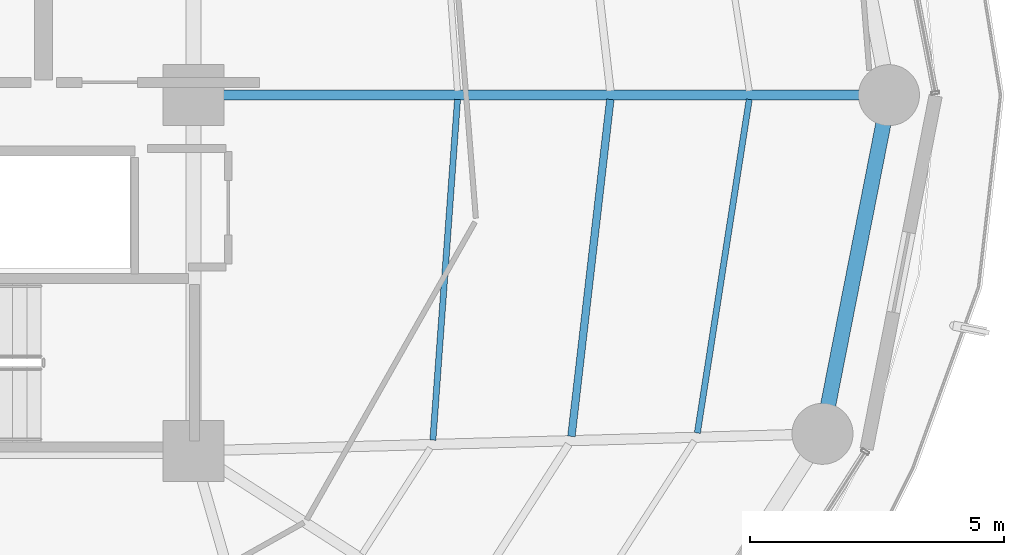
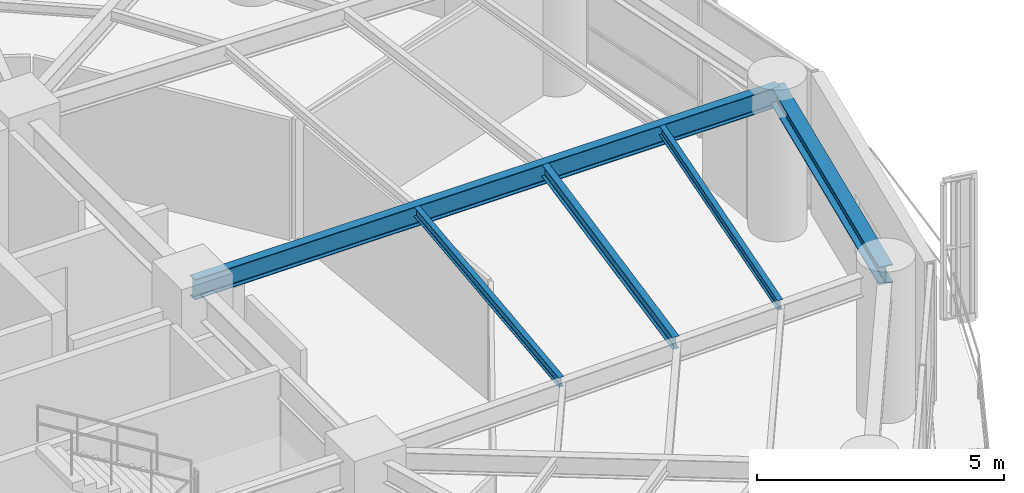
# One storey, part 12 of 27: 5 beams.
"""IFC4 building model written with IfcOpenShell, lengths in metres."""

from ifc_helpers import new_model, si_unit, direction, frame, origin, origin_2d, place, context, subcontext, project, spatial, i_section, extrude, material, material_profile, profile_set, type_object, element, save


model = new_model("IFC4")

# Units and contexts
model_context = context("Model", 3, precision=1e-05, world=origin(), true_north=direction((0.0, 1.0)))
body_context = subcontext(model_context, "Body", "Model", "MODEL_VIEW")
ifc_project = project(units=[si_unit("LENGTHUNIT", "METRE"), si_unit("AREAUNIT", "SQUARE_METRE"), si_unit("VOLUMEUNIT", "CUBIC_METRE"), si_unit("PLANEANGLEUNIT", "RADIAN"), si_unit("MASSUNIT", "GRAM", prefix="KILO")], contexts=[model_context])

# Site, building, storey
site_placement = place(None, origin())
site = spatial("IfcSite", under=ifc_project, at=site_placement, CompositionType="ELEMENT")
building_placement = place(site_placement, origin())
building = spatial("IfcBuilding", under=site, at=building_placement, Name="Kelanora Arch Commons", CompositionType="ELEMENT")
storey_placement = place(building_placement, frame((0.0, 0.0, 169.35009765625)))
storey = spatial("IfcBuildingStorey", under=building, at=storey_placement, Name="L43", CompositionType="ELEMENT", Elevation=169.35009765625)

# Beams
ifc_material = material(Name="Steel S355", Category="steel")
ifc_material_profile_1 = material_profile(ifc_material, i_section(OverallWidth=0.14990234375, OverallDepth=0.300048828125, WebThickness=0.007080078125, FlangeThickness=0.0107421875, FilletRadius=0.014892578125, at=origin_2d()), Name="IPE300")
ifc_profile_set_1 = profile_set([ifc_material_profile_1], Name="Steel S355")
beam_type_1 = type_object("IfcBeamType", Name="BM-JST-01", PredefinedType="JOIST", material=ifc_profile_set_1)
beam_1_placement = place(storey_placement, frame((89.43310546875, 51.286865234375, 3.33984375), z_axis=(0.114667159005, 0.9934039675, 0.0), x_axis=(-0.9934039675, 0.114667159005, 0.0)))
element("IfcBeam", 1, at=beam_1_placement, inside=storey, type_object=beam_type_1, Name="Secondary Chord Joist BJB-34 L43", PredefinedType="JOIST", context=body_context, shape_type="SweptSolid", body=[
    extrude(i_section(OverallWidth=0.14990234375, OverallDepth=0.300048828125, WebThickness=0.007080078125, FlangeThickness=0.0107421875, FilletRadius=0.014892578125, at=origin_2d()), origin(), (0.0, 0.0, 1.0), 6.672607421875),
])
ifc_material_profile_2 = material_profile(ifc_material, i_section(OverallWidth=0.1201171875, OverallDepth=0.239990234375, WebThickness=0.006103515625, FlangeThickness=0.009765625, FilletRadius=0.014892578125, at=origin_2d()), Name="IPE240")
ifc_profile_set_2 = profile_set([ifc_material_profile_2], Name="Steel S355")
beam_type_2 = type_object("IfcBeamType", Name="BM-JST-02", PredefinedType="JOIST", material=ifc_profile_set_2)
beam_2_placement = place(storey_placement, frame((86.707763671875, 51.212890625, 3.369873046875), z_axis=(0.072117123738, 0.997396170267, 0.0), x_axis=(-0.997396170267, 0.072117123738, 0.0)))
element("IfcBeam", 2, at=beam_2_placement, inside=storey, type_object=beam_type_2, Name="Secondary Chord Joist BJA-34 L43", PredefinedType="JOIST", context=body_context, shape_type="SweptSolid", body=[
    extrude(i_section(OverallWidth=0.1201171875, OverallDepth=0.239990234375, WebThickness=0.006103515625, FlangeThickness=0.009765625, FilletRadius=0.014892578125, at=origin_2d()), origin(), (0.0, 0.0, 1.0), 6.719970703125),
])
beam_3_placement = place(storey_placement, frame((91.9111328125, 51.35400390625, 3.369873046875), z_axis=(0.153562625853, 0.988138917329, 0.0), x_axis=(-0.988138917329, 0.153562625853, 0.0)))
element("IfcBeam", 3, at=beam_3_placement, inside=storey, type_object=beam_type_2, Name="Secondary Chord Joist BJC-34 L43", PredefinedType="JOIST", context=body_context, shape_type="SweptSolid", body=[
    extrude(i_section(OverallWidth=0.1201171875, OverallDepth=0.239990234375, WebThickness=0.006103515625, FlangeThickness=0.009765625, FilletRadius=0.014892578125, at=origin_2d()), origin(), (0.0, 0.0, 1.0), 6.640869140625),
])
ifc_material_profile_3 = material_profile(ifc_material, i_section(OverallWidth=0.199951171875, OverallDepth=0.5, WebThickness=0.01025390625, FlangeThickness=0.01611328125, FilletRadius=0.02099609375, at=origin_2d()), Name="IPE500")
ifc_profile_set_3 = profile_set([ifc_material_profile_3], Name="Steel S355")
beam_type_3 = type_object("IfcBeamType", Name="BM-RAD-Z3", PredefinedType="BEAM", material=ifc_profile_set_3)
beam_4_placement = place(storey_placement, frame((82.0, 58.0, 3.239990234375), z_axis=(1.0, 0.0, 0.0), x_axis=(0.0, 1.0, 0.0)))
element("IfcBeam", 4, at=beam_4_placement, inside=storey, type_object=beam_type_3, Name="Radial Floor Girder BR-00 L43", PredefinedType="BEAM", context=body_context, shape_type="SweptSolid", body=[
    extrude(i_section(OverallWidth=0.199951171875, OverallDepth=0.5, WebThickness=0.01025390625, FlangeThickness=0.01611328125, FilletRadius=0.02099609375, at=origin_2d()), origin(), (0.0, 0.0, 1.0), 13.679931640625),
])
ifc_material_profile_4 = material_profile(ifc_material, i_section(OverallWidth=0.300048828125, OverallDepth=0.449951171875, WebThickness=0.013916015625, FlangeThickness=0.02587890625, FilletRadius=0.027099609375, at=origin_2d()), Name="HEB450")
ifc_profile_set_4 = profile_set([ifc_material_profile_4], Name="Steel S355")
beam_type_4 = type_object("IfcBeamType", Name="BM-SPN-Z3", PredefinedType="SPANDREL", material=ifc_profile_set_4)
beam_5_placement = place(storey_placement, frame((94.37255859375, 51.33740234375, 3.264892578125), z_axis=(0.192553643556, 0.981286448675, 0.0), x_axis=(-0.981286448675, 0.192553643556, 0.0)))
element("IfcBeam", 5, at=beam_5_placement, inside=storey, type_object=beam_type_4, Name="Perimeter Spandrel Beam BS-34 L43", PredefinedType="SPANDREL", context=body_context, shape_type="SweptSolid", body=[
    extrude(i_section(OverallWidth=0.300048828125, OverallDepth=0.449951171875, WebThickness=0.013916015625, FlangeThickness=0.02587890625, FilletRadius=0.027099609375, at=origin_2d()), origin(), (0.0, 0.0, 1.0), 6.78955078125),
])

save(model, "model.ifc")
